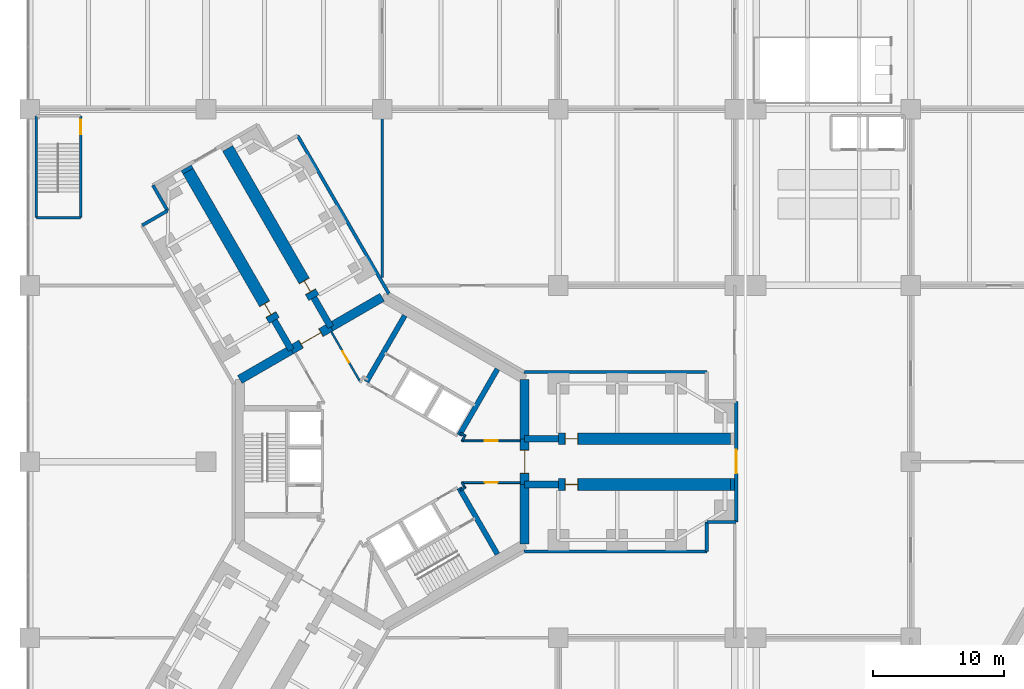
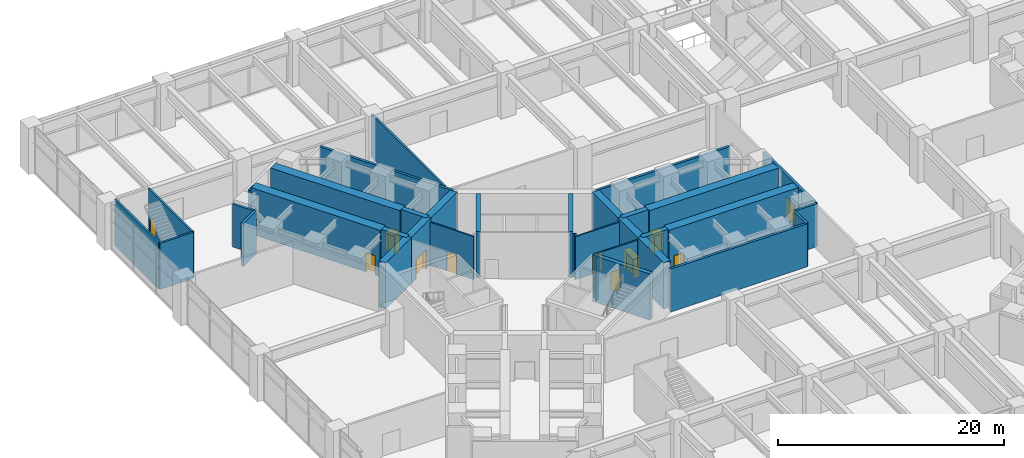
# One storey, part 23 of 32: 38 walls, 11 doors, 11 openings.
"""IFC4 building model written with IfcOpenShell, lengths in metres."""

from ifc_helpers import new_model, si_unit, direction, frame, frame_2d, origin, place, context, subcontext, project, spatial, rectangle, extrude, material, layer, layer_set, type_object, element, fill, save


model = new_model("IFC4")

# Units and contexts
model_context = context("Model", 3, precision=1e-05, world=origin(), true_north=direction((0.0, 1.0)))
body_context = subcontext(model_context, "Body", "Model", "MODEL_VIEW")
ifc_project = project(units=[si_unit("LENGTHUNIT", "METRE"), si_unit("AREAUNIT", "SQUARE_METRE"), si_unit("VOLUMEUNIT", "CUBIC_METRE"), si_unit("PLANEANGLEUNIT", "RADIAN"), si_unit("MASSUNIT", "GRAM", prefix="KILO")], contexts=[model_context])

# Site, building, storey
site_placement = place(None, origin())
site = spatial("IfcSite", under=ifc_project, at=site_placement, CompositionType="ELEMENT")
building_placement = place(site_placement, origin())
building = spatial("IfcBuilding", under=site, at=building_placement, Name="Upepo Twin Towers", CompositionType="ELEMENT")
storey_placement = place(building_placement, frame((0.0, 0.0, 10.5)))
storey = spatial("IfcBuildingStorey", under=building, at=storey_placement, Name="L02", CompositionType="ELEMENT", Elevation=10.5)

# Walls
ifc_material_1 = material(Name="Dense concrete blockwork", Category="masonry")
ifc_layer_1 = layer(ifc_material_1, 0.89990234375)
ifc_layer_set_1 = layer_set([ifc_layer_1], Name="Buttress closer 900, blockwork with fire-stopping to the curtain wall")
wall_type_1 = type_object("IfcWallType", Name="Buttress closer 900, blockwork with fire-stopping to the curtain wall", PredefinedType="PARTITIONING", material=ifc_layer_set_1)
for number, where, z_axis, x_axis, name in (
    (1, (26.699951171875, -1.75, 0.0), (0.0, 0.0, 1.0), (1.0, 0.0, 0.0), "T1 L02 wing A buttress closer R"),
    (2, (-14.865478515625, 22.247802734375, 0.0), (0.0, 0.0, 1.0), (-0.500426713919, 0.865778900179, 0.0), "T1 L02 wing B buttress closer L"),
):
    element("IfcWall", number, at=place(storey_placement, frame(where, z_axis=z_axis, x_axis=x_axis)), inside=storey, type_object=wall_type_1, Name=name, PredefinedType="PARTITIONING", context=body_context, shape_type="SweptSolid", body=[
        extrude(rectangle(XDim=0.300048828125, YDim=0.89990234375, at=frame_2d((0.14990234375, 0.0))), origin(), (0.0, 0.0, 1.0), 4.64990234375),
    ])
ifc_material_2 = material(Name="Concrete C60/75", Category="concrete")
ifc_layer_2 = layer(ifc_material_2, 0.5)
ifc_layer_set_2 = layer_set([ifc_layer_2], Name="Concrete C60/75")
wall_type_2 = type_object("IfcWallType", Name="Buttress wall 500 RC", PredefinedType="SHEAR", material=ifc_layer_set_2)
for number, where, z_axis, x_axis, name in (
    (3, (10.908447265625, 1.75, 0.0), (0.0, 0.0, 1.0), (1.0, 0.0, 0.0), "T1 wing A buttress wall L"),
    (4, (10.908447265625, -1.75, 0.0), (0.0, 0.0, 1.0), (1.0, 0.0, 0.0), "T1 wing A buttress wall R"),
):
    element("IfcWall", number, at=place(storey_placement, frame(where, z_axis=z_axis, x_axis=x_axis)), inside=storey, type_object=wall_type_2, Name=name, PredefinedType="SHEAR", context=body_context, shape_type="SweptSolid", body=[
        extrude(rectangle(XDim=2.591552734375, YDim=0.5, at=frame_2d((1.2958984375, 0.0))), origin(), (0.0, 0.0, 1.0), 5.0),
    ])
for number, where, z_axis, x_axis, name in (
    (5, (-6.9697265625, 8.57177734375, 0.0), (0.0, 0.0, 1.0), (-0.499988811324, 0.866031863473, 0.0), "T1 wing B buttress wall L"),
    (6, (-3.938720703125, 10.32177734375, 0.0), (0.0, 0.0, 1.0), (-0.499918158782, 0.866072649678, 0.0), "T1 wing B buttress wall R"),
):
    element("IfcWall", number, at=place(storey_placement, frame(where, z_axis=z_axis, x_axis=x_axis)), inside=storey, type_object=wall_type_2, Name=name, PredefinedType="SHEAR", context=body_context, shape_type="SweptSolid", body=[
        extrude(rectangle(XDim=2.591796875, YDim=0.5, at=frame_2d((1.2958984375, 0.0))), origin(), (0.0, 0.0, 1.0), 5.0),
    ])

# Wall, opening, door
ifc_material_3 = material(Name="Concrete C60/75", Category="concrete")
ifc_layer_3 = layer(ifc_material_3, 0.89990234375)
ifc_layer_set_3 = layer_set([ifc_layer_3], Name="Concrete C60/75")
wall_type_3 = type_object("IfcWallType", Name="Buttress wall 900 RC", PredefinedType="SHEAR", material=ifc_layer_set_3)
wall_1_placement = place(storey_placement, frame((13.5, 1.75, 0.0), z_axis=(0.0, 0.0, 1.0), x_axis=(1.0, 0.0, 0.0)))
wall_1 = element("IfcWall", 7, at=wall_1_placement, inside=storey, type_object=wall_type_3, Name="T1 wing A buttress wall L part 2", PredefinedType="SHEAR", context=body_context, shape_type="SweptSolid", body=[
    extrude(rectangle(XDim=13.199951171875, YDim=0.89990234375, at=frame_2d((6.60009765625, 0.0))), origin(), (0.0, 0.0, 1.0), 5.0),
])
opening_1_placement = place(wall_1_placement, frame((0.5, 0.0, 0.0)))
opening_1 = element("IfcOpeningElement", 8, at=opening_1_placement, cuts=wall_1, Name="Opening D1", PredefinedType="OPENING", context=body_context, shape_type="SweptSolid", body=[
    extrude(rectangle(XDim=1.0, YDim=2.10009765625, at=frame_2d((0.5, 1.050048828125))), frame((0.0, 0.4599609375, 0.0), z_axis=(0.0, -1.0, 0.0), x_axis=(1.0, 0.0, 0.0)), (0.0, 0.0, 1.0), 0.919921875),
])
ifc_material_4 = material(Name="Timber doorset", Category="wood")
door_type_1 = type_object("IfcDoorType", Name="Room door 1000 FD30", OperationType="SINGLE_SWING_LEFT", PredefinedType="DOOR", material=ifc_material_4)
door_1_placement = place(opening_1_placement, origin())
door_1 = element("IfcDoor", 9, at=door_1_placement, inside=storey, type_object=door_type_1, Name="T1 L02 library carrel room door", OperationType="SINGLE_SWING_LEFT", OverallHeight=2.10009765625, OverallWidth=1.0, PredefinedType="DOOR", context=body_context, shape_type="SweptSolid", body=[
    extrude(rectangle(XDim=0.92, YDim=2.06009765625, at=frame_2d((0.5, 1.030029296875))), frame((0.0, 0.02490234375, 0.0), z_axis=(0.0, -1.0, 0.0), x_axis=(1.0, 0.0, 0.0)), (0.0, 0.0, 1.0), 0.050048828125),
    extrude(rectangle(XDim=0.04, YDim=2.10009765625, at=frame_2d((0.02001953125, 1.050048828125))), frame((0.0, 0.44970703125, 0.0), z_axis=(0.0, -1.0, 0.0), x_axis=(1.0, 0.0, 0.0)), (0.0, 0.0, 1.0), 0.8994140625),
    extrude(rectangle(XDim=0.04, YDim=2.10009765625, at=frame_2d((0.97998046875, 1.050048828125))), frame((0.0, 0.44970703125, 0.0), z_axis=(0.0, -1.0, 0.0), x_axis=(1.0, 0.0, 0.0)), (0.0, 0.0, 1.0), 0.8994140625),
    extrude(rectangle(XDim=0.92, YDim=0.04, at=frame_2d((0.5, 2.080078125))), frame((0.0, 0.44970703125, 0.0), z_axis=(0.0, -1.0, 0.0), x_axis=(1.0, 0.0, 0.0)), (0.0, 0.0, 1.0), 0.8994140625),
])
fill(opening_1, door_1)

wall_2_placement = place(storey_placement, frame((13.5, -1.75, 0.0), z_axis=(0.0, 0.0, 1.0), x_axis=(1.0, 0.0, 0.0)))
wall_2 = element("IfcWall", 10, at=wall_2_placement, inside=storey, type_object=wall_type_3, Name="T1 wing A buttress wall R part 2", PredefinedType="SHEAR", context=body_context, shape_type="SweptSolid", body=[
    extrude(rectangle(XDim=13.199951171875, YDim=0.89990234375, at=frame_2d((6.60009765625, 0.0))), origin(), (0.0, 0.0, 1.0), 5.0),
])
opening_2_placement = place(wall_2_placement, frame((0.5, 0.0, 0.0)))
opening_2 = element("IfcOpeningElement", 11, at=opening_2_placement, cuts=wall_2, Name="Opening D1", PredefinedType="OPENING", context=body_context, shape_type="SweptSolid", body=[
    extrude(rectangle(XDim=1.0, YDim=2.10009765625, at=frame_2d((0.5, 1.050048828125))), frame((0.0, 0.4599609375, 0.0), z_axis=(0.0, -1.0, 0.0), x_axis=(1.0, 0.0, 0.0)), (0.0, 0.0, 1.0), 0.919921875),
])
door_2_placement = place(opening_2_placement, origin())
door_2 = element("IfcDoor", 12, at=door_2_placement, inside=storey, type_object=door_type_1, Name="T1 L02 library carrel room door", OperationType="SINGLE_SWING_LEFT", OverallHeight=2.10009765625, OverallWidth=1.0, PredefinedType="DOOR", context=body_context, shape_type="SweptSolid", body=[
    extrude(rectangle(XDim=0.92, YDim=2.06009765625, at=frame_2d((0.5, 1.030029296875))), frame((0.0, 0.02490234375, 0.0), z_axis=(0.0, -1.0, 0.0), x_axis=(1.0, 0.0, 0.0)), (0.0, 0.0, 1.0), 0.050048828125),
    extrude(rectangle(XDim=0.04, YDim=2.10009765625, at=frame_2d((0.02001953125, 1.050048828125))), frame((0.0, 0.44970703125, 0.0), z_axis=(0.0, -1.0, 0.0), x_axis=(1.0, 0.0, 0.0)), (0.0, 0.0, 1.0), 0.8994140625),
    extrude(rectangle(XDim=0.04, YDim=2.10009765625, at=frame_2d((0.97998046875, 1.050048828125))), frame((0.0, 0.44970703125, 0.0), z_axis=(0.0, -1.0, 0.0), x_axis=(1.0, 0.0, 0.0)), (0.0, 0.0, 1.0), 0.8994140625),
    extrude(rectangle(XDim=0.92, YDim=0.04, at=frame_2d((0.5, 2.080078125))), frame((0.0, 0.44970703125, 0.0), z_axis=(0.0, -1.0, 0.0), x_axis=(1.0, 0.0, 0.0)), (0.0, 0.0, 1.0), 0.8994140625),
])
fill(opening_2, door_2)

wall_3_placement = place(storey_placement, frame((-8.265625, 10.81640625, 0.0), z_axis=(0.0, 0.0, 1.0), x_axis=(-0.499996231654, 0.866027579429, 0.0)))
wall_3 = element("IfcWall", 13, at=wall_3_placement, inside=storey, type_object=wall_type_3, Name="T1 wing B buttress wall L part 2", PredefinedType="SHEAR", context=body_context, shape_type="SweptSolid", body=[
    extrude(rectangle(XDim=13.19970703125, YDim=0.89990234375, at=frame_2d((6.599853515625, 0.0))), origin(), (0.0, 0.0, 1.0), 5.0),
])
opening_3_placement = place(wall_3_placement, frame((0.5, 0.0, 0.0)))
opening_3 = element("IfcOpeningElement", 14, at=opening_3_placement, cuts=wall_3, Name="Opening D1", PredefinedType="OPENING", context=body_context, shape_type="SweptSolid", body=[
    extrude(rectangle(XDim=1.0, YDim=2.10009765625, at=frame_2d((0.5, 1.050048828125))), frame((0.0, 0.4599609375, 0.0), z_axis=(0.0, -1.0, 0.0), x_axis=(1.0, 0.0, 0.0)), (0.0, 0.0, 1.0), 0.919921875),
])
door_3_placement = place(opening_3_placement, origin())
door_3 = element("IfcDoor", 15, at=door_3_placement, inside=storey, type_object=door_type_1, Name="T1 L02 library carrel room door", OperationType="SINGLE_SWING_LEFT", OverallHeight=2.10009765625, OverallWidth=1.0, PredefinedType="DOOR", context=body_context, shape_type="SweptSolid", body=[
    extrude(rectangle(XDim=0.92, YDim=2.06009765625, at=frame_2d((0.5, 1.030029296875))), frame((0.0, 0.02490234375, 0.0), z_axis=(0.0, -1.0, 0.0), x_axis=(1.0, 0.0, 0.0)), (0.0, 0.0, 1.0), 0.050048828125),
    extrude(rectangle(XDim=0.04, YDim=2.10009765625, at=frame_2d((0.02001953125, 1.050048828125))), frame((0.0, 0.44970703125, 0.0), z_axis=(0.0, -1.0, 0.0), x_axis=(1.0, 0.0, 0.0)), (0.0, 0.0, 1.0), 0.8994140625),
    extrude(rectangle(XDim=0.04, YDim=2.10009765625, at=frame_2d((0.97998046875, 1.050048828125))), frame((0.0, 0.44970703125, 0.0), z_axis=(0.0, -1.0, 0.0), x_axis=(1.0, 0.0, 0.0)), (0.0, 0.0, 1.0), 0.8994140625),
    extrude(rectangle(XDim=0.92, YDim=0.04, at=frame_2d((0.5, 2.080078125))), frame((0.0, 0.44970703125, 0.0), z_axis=(0.0, -1.0, 0.0), x_axis=(1.0, 0.0, 0.0)), (0.0, 0.0, 1.0), 0.8994140625),
])
fill(opening_3, door_3)

wall_4_placement = place(storey_placement, frame((-5.234375, 12.56640625, 0.0), z_axis=(0.0, 0.0, 1.0), x_axis=(-0.500010103361, 0.866019570528, 0.0)))
wall_4 = element("IfcWall", 16, at=wall_4_placement, inside=storey, type_object=wall_type_3, Name="T1 wing B buttress wall R part 2", PredefinedType="SHEAR", context=body_context, shape_type="SweptSolid", body=[
    extrude(rectangle(XDim=13.199951171875, YDim=0.89990234375, at=frame_2d((6.60009765625, 0.0))), origin(), (0.0, 0.0, 1.0), 5.0),
])
opening_4_placement = place(wall_4_placement, frame((0.5, 0.0, 0.0)))
opening_4 = element("IfcOpeningElement", 17, at=opening_4_placement, cuts=wall_4, Name="Opening D1", PredefinedType="OPENING", context=body_context, shape_type="SweptSolid", body=[
    extrude(rectangle(XDim=1.0, YDim=2.10009765625, at=frame_2d((0.5, 1.050048828125))), frame((0.0, 0.4599609375, 0.0), z_axis=(0.0, -1.0, 0.0), x_axis=(1.0, 0.0, 0.0)), (0.0, 0.0, 1.0), 0.919921875),
])
door_4_placement = place(opening_4_placement, origin())
door_4 = element("IfcDoor", 18, at=door_4_placement, inside=storey, type_object=door_type_1, Name="T1 L02 library carrel room door", OperationType="SINGLE_SWING_LEFT", OverallHeight=2.10009765625, OverallWidth=1.0, PredefinedType="DOOR", context=body_context, shape_type="SweptSolid", body=[
    extrude(rectangle(XDim=0.92, YDim=2.06009765625, at=frame_2d((0.5, 1.030029296875))), frame((0.0, 0.02490234375, 0.0), z_axis=(0.0, -1.0, 0.0), x_axis=(1.0, 0.0, 0.0)), (0.0, 0.0, 1.0), 0.050048828125),
    extrude(rectangle(XDim=0.04, YDim=2.10009765625, at=frame_2d((0.02001953125, 1.050048828125))), frame((0.0, 0.44970703125, 0.0), z_axis=(0.0, -1.0, 0.0), x_axis=(1.0, 0.0, 0.0)), (0.0, 0.0, 1.0), 0.8994140625),
    extrude(rectangle(XDim=0.04, YDim=2.10009765625, at=frame_2d((0.97998046875, 1.050048828125))), frame((0.0, 0.44970703125, 0.0), z_axis=(0.0, -1.0, 0.0), x_axis=(1.0, 0.0, 0.0)), (0.0, 0.0, 1.0), 0.8994140625),
    extrude(rectangle(XDim=0.92, YDim=0.04, at=frame_2d((0.5, 2.080078125))), frame((0.0, 0.44970703125, 0.0), z_axis=(0.0, -1.0, 0.0), x_axis=(1.0, 0.0, 0.0)), (0.0, 0.0, 1.0), 0.8994140625),
])
fill(opening_4, door_4)

# Wall
ifc_material_5 = material(Name="Concrete C60/75", Category="concrete")
ifc_layer_4 = layer(ifc_material_5, 0.699951171875)
ifc_layer_set_4 = layer_set([ifc_layer_4], Name="Concrete C60/75")
wall_type_4 = type_object("IfcWallType", Name="Core wall 700 RC", PredefinedType="SHEAR", material=ifc_layer_set_4)
wall_5_placement = place(storey_placement, frame((10.908447265625, -6.2978515625, 0.0), z_axis=(0.0, 0.0, 1.0), x_axis=(0.0, 1.0, 0.0)))
element("IfcWall", 19, at=wall_5_placement, inside=storey, type_object=wall_type_4, Name="T1 core wall 000 R", PredefinedType="SHEAR", context=body_context, shape_type="SweptSolid", body=[
    extrude(rectangle(XDim=4.5478515625, YDim=0.699951171875, at=frame_2d((2.27392578125, 0.0))), origin(), (0.0, 0.0, 1.0), 5.0),
])

# Wall, opening, door
wall_6_placement = place(storey_placement, frame((10.908447265625, -1.75, 0.0), z_axis=(0.0, 0.0, 1.0), x_axis=(0.0, 1.0, 0.0)))
wall_6 = element("IfcWall", 20, at=wall_6_placement, inside=storey, type_object=wall_type_4, Name="T1 core wall 000", PredefinedType="SHEAR", context=body_context, shape_type="SweptSolid", body=[
    extrude(rectangle(XDim=3.5, YDim=0.699951171875, at=frame_2d((1.75, 0.0))), origin(), (0.0, 0.0, 1.0), 5.0),
])
opening_5_placement = place(wall_6_placement, frame((0.85009765625, 0.0, 0.0)))
opening_5 = element("IfcOpeningElement", 21, at=opening_5_placement, cuts=wall_6, Name="Opening D2", PredefinedType="OPENING", context=body_context, shape_type="SweptSolid", body=[
    extrude(rectangle(XDim=1.800048828125, YDim=2.10009765625, at=frame_2d((0.89990234375, 1.050048828125))), frame((0.0, 0.35986328125, 0.0), z_axis=(0.0, -1.0, 0.0), x_axis=(1.0, 0.0, 0.0)), (0.0, 0.0, 1.0), 0.719970703125),
])
ifc_material_6 = material(Name="Timber doorset", Category="wood")
door_type_2 = type_object("IfcDoorType", Name="Corridor double door 1800 FD60", OperationType="DOUBLE_DOOR_DOUBLE_SWING", PredefinedType="DOOR", material=ifc_material_6)
door_5_placement = place(opening_5_placement, origin())
door_5 = element("IfcDoor", 22, at=door_5_placement, inside=storey, type_object=door_type_2, Name="T1 L02 wing A corridor door", OperationType="DOUBLE_DOOR_DOUBLE_SWING", OverallHeight=2.10009765625, OverallWidth=1.800048828125, PredefinedType="DOOR", context=body_context, shape_type="SweptSolid", body=[
    extrude(rectangle(XDim=1.720048828125, YDim=2.06009765625, at=frame_2d((0.89990234375, 1.030029296875))), frame((0.0, 0.02490234375, 0.0), z_axis=(0.0, -1.0, 0.0), x_axis=(1.0, 0.0, 0.0)), (0.0, 0.0, 1.0), 0.050048828125),
    extrude(rectangle(XDim=0.04, YDim=2.10009765625, at=frame_2d((0.02001953125, 1.050048828125))), frame((0.0, 0.349609375, 0.0), z_axis=(0.0, -1.0, 0.0), x_axis=(1.0, 0.0, 0.0)), (0.0, 0.0, 1.0), 0.699462890625),
    extrude(rectangle(XDim=0.04, YDim=2.10009765625, at=frame_2d((1.780029296875, 1.050048828125))), frame((0.0, 0.349609375, 0.0), z_axis=(0.0, -1.0, 0.0), x_axis=(1.0, 0.0, 0.0)), (0.0, 0.0, 1.0), 0.699462890625),
    extrude(rectangle(XDim=1.720048828125, YDim=0.04, at=frame_2d((0.89990234375, 2.080078125))), frame((0.0, 0.349609375, 0.0), z_axis=(0.0, -1.0, 0.0), x_axis=(1.0, 0.0, 0.0)), (0.0, 0.0, 1.0), 0.699462890625),
])
fill(opening_5, door_5)

# Walls
wall_7_placement = place(storey_placement, frame((10.908447265625, 1.75, 0.0), z_axis=(0.0, 0.0, 1.0), x_axis=(0.0, 1.0, 0.0)))
element("IfcWall", 23, at=wall_7_placement, inside=storey, type_object=wall_type_4, Name="T1 core wall 000 L", PredefinedType="SHEAR", context=body_context, shape_type="SweptSolid", body=[
    extrude(rectangle(XDim=4.5478515625, YDim=0.699951171875, at=frame_2d((2.27392578125, 0.0))), origin(), (0.0, 0.0, 1.0), 5.0),
])
wall_8_placement = place(storey_placement, frame((0.0, 12.595947265625, 0.0), z_axis=(0.0, 0.0, 1.0), x_axis=(-0.866011268655, -0.500024481964, 0.0)))
element("IfcWall", 24, at=wall_8_placement, inside=storey, type_object=wall_type_4, Name="T1 core wall 120 R", PredefinedType="SHEAR", context=body_context, shape_type="SweptSolid", body=[
    extrude(rectangle(XDim=4.548095703125, YDim=0.699951171875, at=frame_2d((2.27392578125, 0.0))), origin(), (0.0, 0.0, 1.0), 5.0),
])

# Wall, opening, door
wall_9_placement = place(storey_placement, frame((-3.938720703125, 10.32177734375, 0.0), z_axis=(0.0, 0.0, 1.0), x_axis=(-0.866019471182, -0.500010275428, 0.0)))
wall_9 = element("IfcWall", 25, at=wall_9_placement, inside=storey, type_object=wall_type_4, Name="T1 core wall 120", PredefinedType="SHEAR", context=body_context, shape_type="SweptSolid", body=[
    extrude(rectangle(XDim=3.5, YDim=0.699951171875, at=frame_2d((1.75, 0.0))), origin(), (0.0, 0.0, 1.0), 5.0),
])
opening_6_placement = place(wall_9_placement, frame((0.85009765625, 0.0, 0.0)))
opening_6 = element("IfcOpeningElement", 26, at=opening_6_placement, cuts=wall_9, Name="Opening D2", PredefinedType="OPENING", context=body_context, shape_type="SweptSolid", body=[
    extrude(rectangle(XDim=1.800048828125, YDim=2.10009765625, at=frame_2d((0.89990234375, 1.050048828125))), frame((0.0, 0.35986328125, 0.0), z_axis=(0.0, -1.0, 0.0), x_axis=(1.0, 0.0, 0.0)), (0.0, 0.0, 1.0), 0.719970703125),
])
door_6_placement = place(opening_6_placement, origin())
door_6 = element("IfcDoor", 27, at=door_6_placement, inside=storey, type_object=door_type_2, Name="T1 L02 wing B corridor door", OperationType="DOUBLE_DOOR_DOUBLE_SWING", OverallHeight=2.10009765625, OverallWidth=1.800048828125, PredefinedType="DOOR", context=body_context, shape_type="SweptSolid", body=[
    extrude(rectangle(XDim=1.720048828125, YDim=2.06009765625, at=frame_2d((0.89990234375, 1.030029296875))), frame((0.0, 0.02490234375, 0.0), z_axis=(0.0, -1.0, 0.0), x_axis=(1.0, 0.0, 0.0)), (0.0, 0.0, 1.0), 0.050048828125),
    extrude(rectangle(XDim=0.04, YDim=2.10009765625, at=frame_2d((0.02001953125, 1.050048828125))), frame((0.0, 0.349609375, 0.0), z_axis=(0.0, -1.0, 0.0), x_axis=(1.0, 0.0, 0.0)), (0.0, 0.0, 1.0), 0.699462890625),
    extrude(rectangle(XDim=0.04, YDim=2.10009765625, at=frame_2d((1.780029296875, 1.050048828125))), frame((0.0, 0.349609375, 0.0), z_axis=(0.0, -1.0, 0.0), x_axis=(1.0, 0.0, 0.0)), (0.0, 0.0, 1.0), 0.699462890625),
    extrude(rectangle(XDim=1.720048828125, YDim=0.04, at=frame_2d((0.89990234375, 2.080078125))), frame((0.0, 0.349609375, 0.0), z_axis=(0.0, -1.0, 0.0), x_axis=(1.0, 0.0, 0.0)), (0.0, 0.0, 1.0), 0.699462890625),
])
fill(opening_6, door_6)

# Walls
wall_10_placement = place(storey_placement, frame((-6.9697265625, 8.57177734375, 0.0), z_axis=(0.0, 0.0, 1.0), x_axis=(-0.866034513004, -0.499984222037, 0.0)))
element("IfcWall", 28, at=wall_10_placement, inside=storey, type_object=wall_type_4, Name="T1 core wall 120 L", PredefinedType="SHEAR", context=body_context, shape_type="SweptSolid", body=[
    extrude(rectangle(XDim=4.548095703125, YDim=0.699951171875, at=frame_2d((2.27392578125, 0.0))), origin(), (0.0, 0.0, 1.0), 5.0),
])
ifc_material_7 = material(Name="Concrete blockwork", Category="masonry")
ifc_layer_5 = layer(ifc_material_7, 0.199951171875)
ifc_layer_set_5 = layer_set([ifc_layer_5], Name="Podium partition 200 blockwork")
wall_type_5 = type_object("IfcWallType", Name="Podium partition 200 blockwork", PredefinedType="PARTITIONING", material=ifc_layer_set_5)
wall_11_placement = place(storey_placement, frame((0.0, 14.10009765625, 0.0), z_axis=(0.0, 0.0, 1.0), x_axis=(0.0, 1.0, 0.0)))
element("IfcWall", 29, at=wall_11_placement, inside=storey, type_object=wall_type_5, Name="L02 podium wall X24", PredefinedType="PARTITIONING", context=body_context, shape_type="SweptSolid", body=[
    extrude(rectangle(XDim=12.89990234375, YDim=0.199951171875, at=frame_2d((6.449951171875, 0.0))), origin(), (0.0, 0.0, 1.0), 4.64990234375),
])
ifc_material_8 = material(Name="Concrete C40/50", Category="concrete")
ifc_layer_6 = layer(ifc_material_8, 0.199951171875)
ifc_layer_set_6 = layer_set([ifc_layer_6], Name="Concrete C40/50")
wall_type_6 = type_object("IfcWallType", Name="Podium stair enclosure 200 RC", PredefinedType="SHEAR", material=ifc_layer_set_6)
wall_12_placement = place(storey_placement, frame((-26.5, 18.699951171875, 0.0), z_axis=(0.0, 0.0, 1.0), x_axis=(1.0, 0.0, 0.0)))
element("IfcWall", 30, at=wall_12_placement, inside=storey, type_object=wall_type_6, Name="PS1 L02 enclosure wall 1", PredefinedType="SHEAR", context=body_context, shape_type="SweptSolid", body=[
    extrude(rectangle(XDim=3.39990234375, YDim=0.199951171875, at=frame_2d((1.699951171875, 0.0))), origin(), (0.0, 0.0, 1.0), 5.0),
])

# Wall, opening, door
wall_13_placement = place(storey_placement, frame((-23.10009765625, 18.699951171875, 0.0), z_axis=(0.0, 0.0, 1.0), x_axis=(0.0, 1.0, 0.0)))
wall_13 = element("IfcWall", 31, at=wall_13_placement, inside=storey, type_object=wall_type_6, Name="PS1 L02 enclosure wall 2", PredefinedType="SHEAR", context=body_context, shape_type="SweptSolid", body=[
    extrude(rectangle(XDim=7.800048828125, YDim=0.199951171875, at=frame_2d((3.89990234375, 0.0))), origin(), (0.0, 0.0, 1.0), 5.0),
])
opening_7_placement = place(wall_13_placement, frame((6.39990234375, 0.0, 0.0)))
opening_7 = element("IfcOpeningElement", 32, at=opening_7_placement, cuts=wall_13, Name="Opening D3", PredefinedType="OPENING", context=body_context, shape_type="SweptSolid", body=[
    extrude(rectangle(XDim=1.10009765625, YDim=2.10009765625, at=frame_2d((0.550048828125, 1.050048828125))), frame((0.0, 0.10986328125, 0.0), z_axis=(0.0, -1.0, 0.0), x_axis=(1.0, 0.0, 0.0)), (0.0, 0.0, 1.0), 0.219970703125),
])
ifc_material_9 = material(Name="Timber doorset", Category="wood")
door_type_3 = type_object("IfcDoorType", Name="Stair door 1100 FD60", OperationType="SINGLE_SWING_LEFT", PredefinedType="DOOR", material=ifc_material_9)
door_7_placement = place(opening_7_placement, origin())
door_7 = element("IfcDoor", 33, at=door_7_placement, inside=storey, type_object=door_type_3, Name="PS1 L02 door", OperationType="SINGLE_SWING_RIGHT", OverallHeight=2.10009765625, OverallWidth=1.10009765625, PredefinedType="DOOR", context=body_context, shape_type="SweptSolid", body=[
    extrude(rectangle(XDim=1.10009765625, YDim=2.10009765625, at=frame_2d((0.550048828125, 1.050048828125))), frame((0.0, 0.02490234375, 0.0), z_axis=(0.0, -1.0, 0.0), x_axis=(1.0, 0.0, 0.0)), (0.0, 0.0, 1.0), 0.050048828125),
])
fill(opening_7, door_7)

# Walls
wall_14_placement = place(storey_placement, frame((-26.5, 26.5, 0.0), z_axis=(0.0, 0.0, 1.0), x_axis=(0.0, -1.0, 0.0)))
element("IfcWall", 34, at=wall_14_placement, inside=storey, type_object=wall_type_6, Name="PS1 L02 enclosure wall 4", PredefinedType="SHEAR", context=body_context, shape_type="SweptSolid", body=[
    extrude(rectangle(XDim=7.800048828125, YDim=0.199951171875, at=frame_2d((3.89990234375, 0.0))), origin(), (0.0, 0.0, 1.0), 5.0),
])
ifc_material_10 = material(Name="Concrete C40/50", Category="concrete")
ifc_layer_7 = layer(ifc_material_10, 0.39990234375)
ifc_layer_set_7 = layer_set([ifc_layer_7], Name="Concrete C40/50")
wall_type_7 = type_object("IfcWallType", Name="Shaft wall 400 RC", PredefinedType="SHEAR", material=ifc_layer_set_7)
for number, where, z_axis, x_axis, name in (
    (35, (-1.20068359375, 6.120361328125, 0.0), (0.0, 0.0, 1.0), (0.500002627198, 0.866023886965, 0.0), "T1 core W60 side wall N"),
    (36, (5.900634765625, 2.020263671875, 0.0), (0.0, 0.0, 1.0), (0.500002627198, 0.866023886965, 0.0), "T1 core W60 side wall S"),
    (37, (5.900634765625, -2.020263671875, 0.0), (0.0, 0.0, 1.0), (0.500002627198, -0.866023886965, 0.0), "T1 core W300 side wall N"),
):
    element("IfcWall", number, at=place(storey_placement, frame(where, z_axis=z_axis, x_axis=x_axis)), inside=storey, type_object=wall_type_7, Name=name, PredefinedType="SHEAR", context=body_context, shape_type="SweptSolid", body=[
        extrude(rectangle(XDim=5.8583984375, YDim=0.39990234375, at=frame_2d((2.92919921875, 0.0))), origin(), (0.0, 0.0, 1.0), 5.0),
    ])
ifc_material_11 = material(Name="Gypsum board on steel studs", Category="steel")
ifc_layer_8 = layer(ifc_material_11, 0.14990234375)
ifc_layer_set_8 = layer_set([ifc_layer_8], Name="Teaching partition 150 acoustic")
wall_type_8 = type_object("IfcWallType", Name="Teaching partition 150 acoustic", PredefinedType="PARTITIONING", material=ifc_layer_set_8)
wall_15_placement = place(storey_placement, frame((6.364501953125, -1.9833984375, 0.0), z_axis=(0.0, 0.0, 1.0), x_axis=(-0.865892400268, -0.500230298122, 0.0)))
element("IfcWall", 38, at=wall_15_placement, inside=storey, type_object=wall_type_8, Name="T1 core room partition 1", PredefinedType="PARTITIONING", context=body_context, shape_type="SweptSolid", body=[
    extrude(rectangle(XDim=0.429931640625, YDim=0.14990234375, at=frame_2d((0.21484375, 0.0))), origin(), (0.0, 0.0, 1.0), 4.64990234375),
])

# Wall, opening, door
wall_16_placement = place(storey_placement, frame((-3.8984375, 9.952392578125, 0.0), z_axis=(0.0, 0.0, 1.0), x_axis=(0.499999927604, -0.866025445582, 0.0)))
wall_16 = element("IfcWall", 39, at=wall_16_placement, inside=storey, type_object=wall_type_8, Name="T1 core room partition 11", PredefinedType="PARTITIONING", context=body_context, shape_type="SweptSolid", body=[
    extrude(rectangle(XDim=4.46826171875, YDim=0.14990234375, at=frame_2d((2.234130859375, 0.0))), origin(), (0.0, 0.0, 1.0), 4.64990234375),
])
opening_8_placement = place(wall_16_placement, frame((1.72412109375, 0.0, 0.0)))
opening_8 = element("IfcOpeningElement", 40, at=opening_8_placement, cuts=wall_16, Name="Opening D1", PredefinedType="OPENING", context=body_context, shape_type="SweptSolid", body=[
    extrude(rectangle(XDim=1.0, YDim=2.10009765625, at=frame_2d((0.5, 1.050048828125))), frame((0.0, 0.0849609375, 0.0), z_axis=(0.0, -1.0, 0.0), x_axis=(1.0, 0.0, 0.0)), (0.0, 0.0, 1.0), 0.169921875),
])
door_8_placement = place(opening_8_placement, origin())
door_8 = element("IfcDoor", 41, at=door_8_placement, inside=storey, type_object=door_type_1, Name="T1 L02 core room door K6", OperationType="SINGLE_SWING_LEFT", OverallHeight=2.10009765625, OverallWidth=1.0, PredefinedType="DOOR", context=body_context, shape_type="SweptSolid", body=[
    extrude(rectangle(XDim=1.0, YDim=2.10009765625, at=frame_2d((0.5, 1.050048828125))), frame((0.0, 0.02490234375, 0.0), z_axis=(0.0, -1.0, 0.0), x_axis=(1.0, 0.0, 0.0)), (0.0, 0.0, 1.0), 0.050048828125),
])
fill(opening_8, door_8)

# Walls
wall_17_placement = place(storey_placement, frame((5.9921875, 2.198486328125, 0.0), z_axis=(0.0, 0.0, 1.0), x_axis=(0.865892400268, -0.500230298122, 0.0)))
element("IfcWall", 42, at=wall_17_placement, inside=storey, type_object=wall_type_8, Name="T1 core room partition 14", PredefinedType="PARTITIONING", context=body_context, shape_type="SweptSolid", body=[
    extrude(rectangle(XDim=0.429931640625, YDim=0.14990234375, at=frame_2d((0.21484375, 0.0))), origin(), (0.0, 0.0, 1.0), 4.64990234375),
])
wall_18_placement = place(storey_placement, frame((6.357177734375, 2.0107421875, 0.0), z_axis=(0.0, 0.0, 1.0), x_axis=(-0.50033519877, -0.865831790172, 0.0)))
element("IfcWall", 43, at=wall_18_placement, inside=storey, type_object=wall_type_8, Name="T1 core room partition 15", PredefinedType="PARTITIONING", context=body_context, shape_type="SweptSolid", body=[
    extrude(rectangle(XDim=0.494384765625, YDim=0.14990234375, at=frame_2d((0.2470703125, 0.0))), origin(), (0.0, 0.0, 1.0), 4.64990234375),
])

# Wall, opening, door
wall_19_placement = place(storey_placement, frame((6.099853515625, 1.60009765625, 0.0), z_axis=(0.0, 0.0, 1.0), x_axis=(1.0, 0.0, 0.0)))
wall_19 = element("IfcWall", 44, at=wall_19_placement, inside=storey, type_object=wall_type_8, Name="T1 core room partition 16", PredefinedType="PARTITIONING", context=body_context, shape_type="SweptSolid", body=[
    extrude(rectangle(XDim=4.468505859375, YDim=0.14990234375, at=frame_2d((2.234375, 0.0))), origin(), (0.0, 0.0, 1.0), 4.64990234375),
])
opening_9_placement = place(wall_19_placement, frame((1.744384765625, 0.0, 0.0)))
opening_9 = element("IfcOpeningElement", 45, at=opening_9_placement, cuts=wall_19, Name="Opening D1", PredefinedType="OPENING", context=body_context, shape_type="SweptSolid", body=[
    extrude(rectangle(XDim=1.0, YDim=2.10009765625, at=frame_2d((0.5, 1.050048828125))), frame((0.0, 0.0849609375, 0.0), z_axis=(0.0, -1.0, 0.0), x_axis=(1.0, 0.0, 0.0)), (0.0, 0.0, 1.0), 0.169921875),
])
door_9_placement = place(opening_9_placement, origin())
door_9 = element("IfcDoor", 46, at=door_9_placement, inside=storey, type_object=door_type_1, Name="T1 L02 core room door K5", OperationType="SINGLE_SWING_RIGHT", OverallHeight=2.10009765625, OverallWidth=1.0, PredefinedType="DOOR", context=body_context, shape_type="SweptSolid", body=[
    extrude(rectangle(XDim=1.0, YDim=2.10009765625, at=frame_2d((0.5, 1.050048828125))), frame((0.0, 0.02490234375, 0.0), z_axis=(0.0, -1.0, 0.0), x_axis=(1.0, 0.0, 0.0)), (0.0, 0.0, 1.0), 0.050048828125),
])
fill(opening_9, door_9)

wall_20_placement = place(storey_placement, frame((10.568359375, -1.60009765625, 0.0), z_axis=(0.0, 0.0, 1.0), x_axis=(-1.0, 0.0, 0.0)))
wall_20 = element("IfcWall", 47, at=wall_20_placement, inside=storey, type_object=wall_type_8, Name="T1 core room partition 17", PredefinedType="PARTITIONING", context=body_context, shape_type="SweptSolid", body=[
    extrude(rectangle(XDim=4.468505859375, YDim=0.14990234375, at=frame_2d((2.234375, 0.0))), origin(), (0.0, 0.0, 1.0), 4.64990234375),
])
opening_10_placement = place(wall_20_placement, frame((1.72412109375, 0.0, 0.0)))
opening_10 = element("IfcOpeningElement", 48, at=opening_10_placement, cuts=wall_20, Name="Opening D1", PredefinedType="OPENING", context=body_context, shape_type="SweptSolid", body=[
    extrude(rectangle(XDim=1.0, YDim=2.10009765625, at=frame_2d((0.5, 1.050048828125))), frame((0.0, 0.0849609375, 0.0), z_axis=(0.0, -1.0, 0.0), x_axis=(1.0, 0.0, 0.0)), (0.0, 0.0, 1.0), 0.169921875),
])
door_10_placement = place(opening_10_placement, origin())
door_10 = element("IfcDoor", 49, at=door_10_placement, inside=storey, type_object=door_type_1, Name="T1 L02 core room door K4", OperationType="SINGLE_SWING_LEFT", OverallHeight=2.10009765625, OverallWidth=1.0, PredefinedType="DOOR", context=body_context, shape_type="SweptSolid", body=[
    extrude(rectangle(XDim=1.0, YDim=2.10009765625, at=frame_2d((0.5, 1.050048828125))), frame((0.0, 0.02490234375, 0.0), z_axis=(0.0, -1.0, 0.0), x_axis=(1.0, 0.0, 0.0)), (0.0, 0.0, 1.0), 0.050048828125),
])
fill(opening_10, door_10)

# Walls
wall_21_placement = place(storey_placement, frame((6.10986328125, -1.582763671875, 0.0), z_axis=(0.0, 0.0, 1.0), x_axis=(0.50033519877, -0.865831790172, 0.0)))
element("IfcWall", 50, at=wall_21_placement, inside=storey, type_object=wall_type_8, Name="T1 core room partition 18", PredefinedType="PARTITIONING", context=body_context, shape_type="SweptSolid", body=[
    extrude(rectangle(XDim=0.494384765625, YDim=0.14990234375, at=frame_2d((0.2470703125, 0.0))), origin(), (0.0, 0.0, 1.0), 4.64990234375),
])
ifc_material_12 = material(Name="Concrete blockwork", Category="masonry")
ifc_layer_9 = layer(ifc_material_12, 0.25)
ifc_layer_set_9 = layer_set([ifc_layer_9], Name="Tower enclosure wall 250 blockwork")
wall_type_9 = type_object("IfcWallType", Name="Tower enclosure wall 250 blockwork", PredefinedType="STANDARD", material=ifc_layer_set_9)
for number, where, z_axis, x_axis, name in (
    (51, (-18.391357421875, 18.10498046875, 0.0), (0.0, 0.0, 1.0), (0.866017533419, 0.500013631625, 0.0), "T1 L02 enclosure wall 8"),
    (52, (-16.44287109375, 19.22998046875, 0.0), (0.0, 0.0, 1.0), (-0.500013631625, 0.866017533419, 0.0), "T1 L02 enclosure wall 9"),
):
    element("IfcWall", number, at=place(storey_placement, frame(where, z_axis=z_axis, x_axis=x_axis)), inside=storey, type_object=wall_type_9, Name=name, PredefinedType="STANDARD", context=body_context, shape_type="SweptSolid", body=[
        extrude(rectangle(XDim=2.25, YDim=0.25, at=frame_2d((1.125, 0.0))), origin(), (0.0, 0.0, 1.0), 4.64990234375),
    ])
for number, where, z_axis, x_axis, name in (
    (53, (-6.483642578125, 24.97998046875, 0.0), (0.0, 0.0, 1.0), (0.499996367808, -0.866027500821, 0.0), "T1 L02 enclosure wall 13"),
    (54, (10.85888671875, 6.875, 0.0), (0.0, 0.0, 1.0), (1.0, 0.0, 0.0), "T1 L02 enclosure wall 15"),
):
    element("IfcWall", number, at=place(storey_placement, frame(where, z_axis=z_axis, x_axis=x_axis)), inside=storey, type_object=wall_type_9, Name=name, PredefinedType="STANDARD", context=body_context, shape_type="SweptSolid", body=[
        extrude(rectangle(XDim=14.01611328125, YDim=0.25, at=frame_2d((7.008056640625, 0.0))), origin(), (0.0, 0.0, 1.0), 4.64990234375),
    ])

# Wall, opening, door
wall_22_placement = place(storey_placement, frame((27.125, 4.625, 0.0), z_axis=(0.0, 0.0, 1.0), x_axis=(0.0, -1.0, 0.0)))
wall_22 = element("IfcWall", 55, at=wall_22_placement, inside=storey, type_object=wall_type_9, Name="T1 L02 enclosure wall 18", PredefinedType="STANDARD", context=body_context, shape_type="SweptSolid", body=[
    extrude(rectangle(XDim=9.25, YDim=0.25, at=frame_2d((4.625, 0.0))), origin(), (0.0, 0.0, 1.0), 4.64990234375),
])
opening_11_placement = place(wall_22_placement, frame((3.72509765625, 0.0, 0.0)))
opening_11 = element("IfcOpeningElement", 56, at=opening_11_placement, cuts=wall_22, Name="Opening D2", PredefinedType="OPENING", context=body_context, shape_type="SweptSolid", body=[
    extrude(rectangle(XDim=1.800048828125, YDim=2.10009765625, at=frame_2d((0.89990234375, 1.050048828125))), frame((0.0, 0.135009765625, 0.0), z_axis=(0.0, -1.0, 0.0), x_axis=(1.0, 0.0, 0.0)), (0.0, 0.0, 1.0), 0.27001953125),
])
door_11_placement = place(opening_11_placement, origin())
door_11 = element("IfcDoor", 57, at=door_11_placement, inside=storey, type_object=door_type_2, Name="T1 L02 wing A podium door", OperationType="DOUBLE_DOOR_DOUBLE_SWING", OverallHeight=2.10009765625, OverallWidth=1.800048828125, PredefinedType="DOOR", context=body_context, shape_type="SweptSolid", body=[
    extrude(rectangle(XDim=1.800048828125, YDim=2.10009765625, at=frame_2d((0.89990234375, 1.050048828125))), frame((0.0, 0.02490234375, 0.0), z_axis=(0.0, -1.0, 0.0), x_axis=(1.0, 0.0, 0.0)), (0.0, 0.0, 1.0), 0.050048828125),
])
fill(opening_11, door_11)

# Walls
for number, where, z_axis, x_axis, name in (
    (58, (27.125, -4.625, 0.0), (0.0, 0.0, 1.0), (-1.0, 0.0, 0.0), "T1 L02 enclosure wall 19"),
    (59, (24.875, -4.625, 0.0), (0.0, 0.0, 1.0), (0.0, -1.0, 0.0), "T1 L02 enclosure wall 20"),
):
    element("IfcWall", number, at=place(storey_placement, frame(where, z_axis=z_axis, x_axis=x_axis)), inside=storey, type_object=wall_type_9, Name=name, PredefinedType="STANDARD", context=body_context, shape_type="SweptSolid", body=[
        extrude(rectangle(XDim=2.25, YDim=0.25, at=frame_2d((1.125, 0.0))), origin(), (0.0, 0.0, 1.0), 4.64990234375),
    ])
wall_23_placement = place(storey_placement, frame((24.875, -6.875, 0.0), z_axis=(0.0, 0.0, 1.0), x_axis=(-1.0, 0.0, 0.0)))
element("IfcWall", 60, at=wall_23_placement, inside=storey, type_object=wall_type_9, Name="T1 L02 enclosure wall 21", PredefinedType="STANDARD", context=body_context, shape_type="SweptSolid", body=[
    extrude(rectangle(XDim=14.01611328125, YDim=0.25, at=frame_2d((7.008056640625, 0.0))), origin(), (0.0, 0.0, 1.0), 4.64990234375),
])

save(model, "model.ifc")
